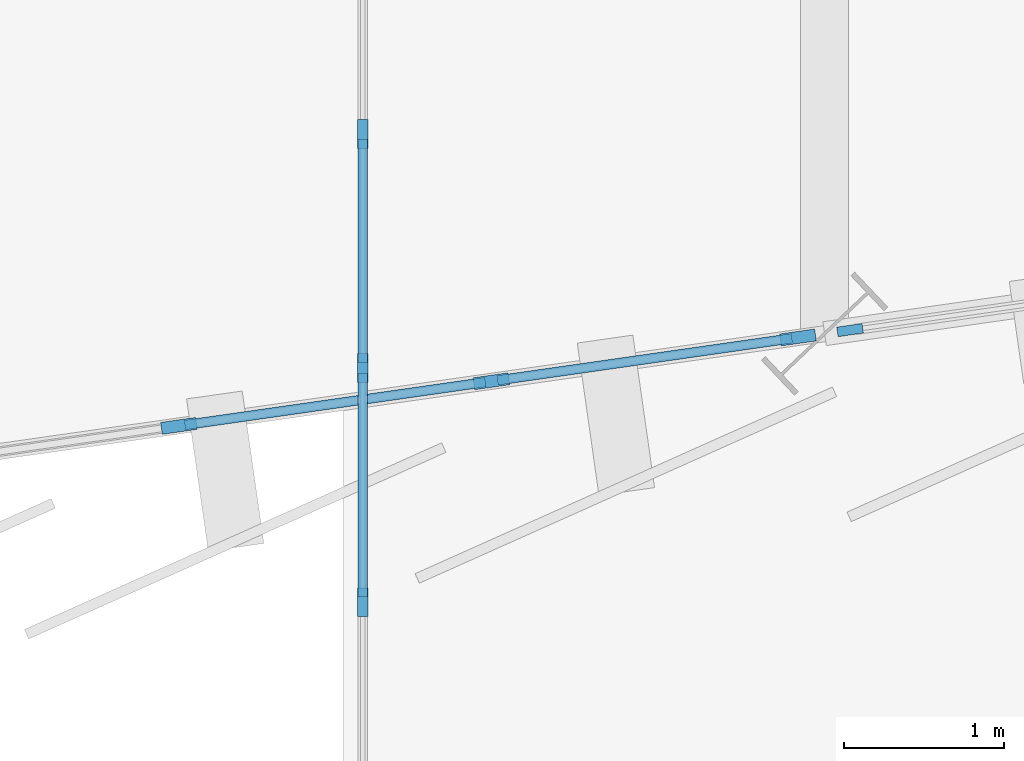
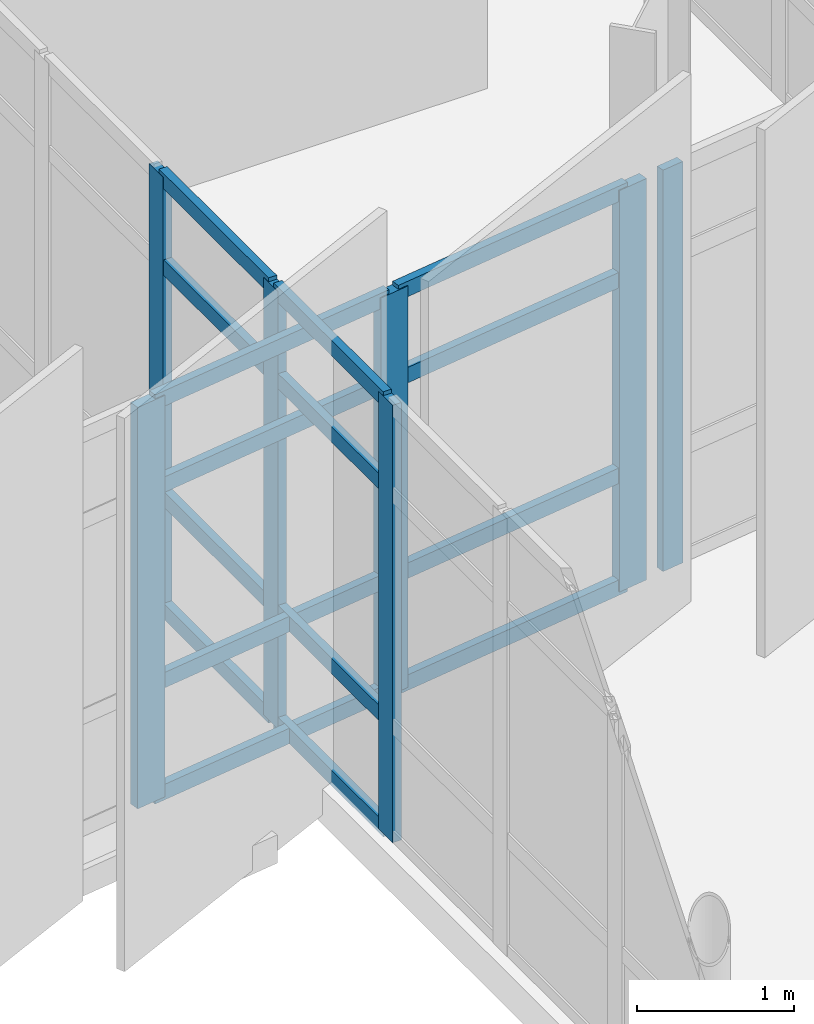
# One storey, part 39 of 134: 23 members, 3 elements without a shape of their own.
"""IFC4 building model written with IfcOpenShell, lengths in metres."""

import ifcopenshell
import ifcopenshell.guid

model = None  # the IFC model being written
_history = None  # IfcOwnerHistory: only IFC2X3 demands one
_inside = {}  # id of a spatial element -> (the spatial element, [elements in it])
_under = {}  # id of a project, library or spatial element -> (it, [spatial elements below it])
_declared = {}  # id of a project -> (the project, [libraries it declares])
_typed = {}  # id of a type object -> (the type object, [elements of that type])
_made_of = {}  # id of a material, layer set ... -> (it, [elements and type objects made of it])


def new_model(schema):
    """Start an empty IFC model of exactly this schema.

    Asked for "IFC4X3", IfcOpenShell would pick the latest addendum, in which some entities
    have other attributes; the version numbers below select the first issue.
    IFC2X3 requires an IfcOwnerHistory on every rooted entity: one is made here for all.
    """
    global model, _history
    if schema == "IFC4X3":
        model = ifcopenshell.file(schema_version=(4, 3, 0, 0))
    else:
        model = ifcopenshell.file(schema=schema)
    _inside.clear()
    _under.clear()
    _declared.clear()
    _typed.clear()
    _made_of.clear()
    _history = None
    if model.schema == "IFC2X3":
        org = make("IfcOrganization", Name="unknown")
        user = make(
            "IfcPersonAndOrganization",
            ThePerson=make("IfcPerson", FamilyName="unknown"),
            TheOrganization=org,
        )
        app = make(
            "IfcApplication",
            ApplicationDeveloper=org,
            Version="unknown",
            ApplicationFullName="unknown",
            ApplicationIdentifier="unknown",
        )
        _history = make(
            "IfcOwnerHistory",
            OwningUser=user,
            OwningApplication=app,
            ChangeAction="ADDED",
            CreationDate=0,
        )
    return model


def make(cls, **values):
    """One entity of the class cls with the attributes given. An attribute that is None is left unset."""
    return model.create_entity(
        cls, **{name: value for name, value in values.items() if value is not None}
    )


def rooted(cls, **values):
    """An entity with a GlobalId (a new one), such as an element, a storey or a relation."""
    return make(cls, GlobalId=ifcopenshell.guid.new(), OwnerHistory=_history, **values)


def si_unit(unit_type, name, prefix=None):
    """IfcSIUnit, for example si_unit("LENGTHUNIT", "METRE", prefix="MILLI")."""
    return make("IfcSIUnit", UnitType=unit_type, Prefix=prefix, Name=name)


def assignment(units):
    """IfcUnitAssignment: the units of a project."""
    return None if units is None else make("IfcUnitAssignment", Units=units)


def point(xyz):
    """IfcCartesianPoint."""
    return None if xyz is None else make("IfcCartesianPoint", Coordinates=xyz)


def direction(xyz):
    """IfcDirection."""
    return None if xyz is None else make("IfcDirection", DirectionRatios=xyz)


def frame(location, z_axis=None, x_axis=None):
    """IfcAxis2Placement3D, a coordinate frame: its origin and axes. An axis left out is left unset."""
    return make(
        "IfcAxis2Placement3D",
        Location=point(location),
        Axis=direction(z_axis),
        RefDirection=direction(x_axis),
    )


def frame_2d(location, x_axis=None):
    """IfcAxis2Placement2D, a coordinate frame in the plane: its origin and x axis."""
    return make(
        "IfcAxis2Placement2D", Location=point(location), RefDirection=direction(x_axis)
    )


def origin():
    """The frame at (0, 0, 0) with its axes left unset."""
    return frame((0.0, 0.0, 0.0))


def origin_2d():
    """The frame at (0, 0) in the plane with its x axis left unset."""
    return frame_2d((0.0, 0.0))


def place(relative_to, where):
    """IfcLocalPlacement: puts the frame where relative to a parent placement (None: the world)."""
    return make(
        "IfcLocalPlacement", PlacementRelTo=relative_to, RelativePlacement=where
    )


def context(
    kind, dimensions, precision=None, world=None, true_north=None, identifier=None
):
    """IfcGeometricRepresentationContext, for example the 3D "Model" context."""
    return make(
        "IfcGeometricRepresentationContext",
        ContextIdentifier=identifier,
        ContextType=kind,
        CoordinateSpaceDimension=dimensions,
        Precision=precision,
        WorldCoordinateSystem=world,
        TrueNorth=true_north,
    )


def subcontext(parent, identifier, kind, view, scale=None):
    """IfcGeometricRepresentationSubContext, for example "Body" below "Model"."""
    return make(
        "IfcGeometricRepresentationSubContext",
        ContextIdentifier=identifier,
        ContextType=kind,
        ParentContext=parent,
        TargetScale=scale,
        TargetView=view,
    )


def project(units=None, contexts=None):
    """IfcProject with its units and contexts."""
    return rooted(
        "IfcProject",
        Name="project",
        RepresentationContexts=contexts,
        UnitsInContext=assignment(units),
    )


def spatial(cls, under=None, at=None, **own):
    """A site, building, storey or space (cls), placed at a placement, below another one or the project."""
    s = rooted(cls, ObjectPlacement=at, **own)
    if under is not None:
        _under.setdefault(under.id(), (under, []))[1].append(s)
    return s


def profile(cls, at=None, kind="AREA", **sizes):
    """A parametric profile (cls). Its sizes go by their IFC names, for example OverallWidth=200.0."""
    return make(cls, ProfileType=kind, Position=at, **sizes)


def rectangle(**sizes):
    """IfcRectangleProfileDef."""
    return profile("IfcRectangleProfileDef", **sizes)


def extrude(swept, where, along, depth):
    """IfcExtrudedAreaSolid: the profile swept, set in the frame where, extruded along a direction by depth."""
    return make(
        "IfcExtrudedAreaSolid",
        SweptArea=swept,
        Position=where,
        ExtrudedDirection=direction(along),
        Depth=depth,
    )


def shape(context_of_items, identifier, shape_type, items):
    """IfcShapeRepresentation: the items that make up one representation, for example the "Body"."""
    return make(
        "IfcShapeRepresentation",
        ContextOfItems=context_of_items,
        RepresentationIdentifier=identifier,
        RepresentationType=shape_type,
        Items=items,
    )


def material(Name=None, Category=None):
    """IfcMaterial."""
    return make("IfcMaterial", Name=Name, Category=Category)


def layer(
    of_material, thickness, ventilated=None, Name=None, Category=None, Priority=None
):
    """IfcMaterialLayer: one layer of a wall or slab, of a material (None: an air gap)."""
    return make(
        "IfcMaterialLayer",
        Material=of_material,
        LayerThickness=thickness,
        IsVentilated=ventilated,
        Name=Name,
        Category=Category,
        Priority=Priority,
    )


def layer_set(layers, Name=None):
    """IfcMaterialLayerSet."""
    return make("IfcMaterialLayerSet", MaterialLayers=layers, LayerSetName=Name)


def material_profile(
    of_material, cross_section, Name=None, Category=None, Priority=None
):
    """IfcMaterialProfile: a cross section and its material."""
    return make(
        "IfcMaterialProfile",
        Name=Name,
        Material=of_material,
        Profile=cross_section,
        Priority=Priority,
        Category=Category,
    )


def profile_set(profiles, Name=None, composite=None):
    """IfcMaterialProfileSet."""
    return make(
        "IfcMaterialProfileSet",
        Name=Name,
        MaterialProfiles=profiles,
        CompositeProfile=composite,
    )


def made_of(thing, what):
    """Note that an element or type object is made of a material, layer set ...; save() writes the relation."""
    if what is not None:
        _made_of.setdefault(what.id(), (what, []))[1].append(thing)
    return thing


def type_object(cls, material=None, **own):
    """A type object (cls), such as IfcWallType, which elements share."""
    return made_of(rooted(cls, **own), material)


def element(
    cls,
    number,
    at=None,
    inside=None,
    cuts=None,
    type_object=None,
    material=None,
    context=None,
    identifier="Body",
    shape_type=None,
    held_by="IfcProductDefinitionShape",
    body=None,
    shapes=None,
    **own,
):
    """One element of the class cls, such as IfcWall. Its Tag is "e" and its number.

    at: its placement. inside: the storey or other place that contains it. cuts: it is an
    opening in that element (IfcRelVoidsElement). A single representation is given by context,
    identifier, shape_type and body (its items); several are given by shapes. held_by: the class
    of the entity that holds the representations. save() writes the other relations.
    """
    e = rooted(cls, Tag="e%d" % number, ObjectPlacement=at, **own)
    if body is not None:
        shapes = [shape(context, identifier, shape_type, body)]
    if shapes is not None:
        e.Representation = make(held_by, Representations=shapes)
    if inside is not None:
        _inside.setdefault(inside.id(), (inside, []))[1].append(e)
    if cuts is not None:
        rooted(
            "IfcRelVoidsElement", RelatingBuildingElement=cuts, RelatedOpeningElement=e
        )
    if type_object is not None:
        _typed.setdefault(type_object.id(), (type_object, []))[1].append(e)
    return made_of(e, material)


def aggregate(whole, parts):
    """IfcRelAggregates: a whole, such as a stair, and the parts it consists of."""
    return rooted("IfcRelAggregates", RelatingObject=whole, RelatedObjects=parts)


def save(model, path):
    """Write the relations noted so far, then the file.

    IfcRelAggregates (storeys below a building ...), IfcRelContainedInSpatialStructure (elements
    in a storey), IfcRelDefinesByType, IfcRelAssociatesMaterial and IfcRelDeclares: one each for
    every whole, place, type object, material and project.
    """
    for whole, parts in _under.values():
        aggregate(whole, parts)
    for where, things in _inside.values():
        rooted(
            "IfcRelContainedInSpatialStructure",
            RelatedElements=things,
            RelatingStructure=where,
        )
    for kind, things in _typed.values():
        rooted("IfcRelDefinesByType", RelatedObjects=things, RelatingType=kind)
    for what, things in _made_of.values():
        rooted("IfcRelAssociatesMaterial", RelatedObjects=things, RelatingMaterial=what)
    for by, libraries in _declared.values():
        rooted("IfcRelDeclares", RelatingContext=by, RelatedDefinitions=libraries)
    model.write(path)


model = new_model("IFC4")

# Units and contexts
model_context = context("Model", 3, precision=1e-05, world=origin(), true_north=direction((0.0, 1.0)))
body_context = subcontext(model_context, "Body", "Model", "MODEL_VIEW")
ifc_project = project(units=[si_unit("LENGTHUNIT", "METRE"), si_unit("AREAUNIT", "SQUARE_METRE"), si_unit("VOLUMEUNIT", "CUBIC_METRE"), si_unit("PLANEANGLEUNIT", "RADIAN"), si_unit("MASSUNIT", "GRAM", prefix="KILO")], contexts=[model_context])

# Site, building, storey
site_placement = place(None, origin())
site = spatial("IfcSite", under=ifc_project, at=site_placement, CompositionType="ELEMENT")
building_placement = place(site_placement, origin())
building = spatial("IfcBuilding", under=site, at=building_placement, Name="Sohan Crest Arena", CompositionType="ELEMENT")
storey_placement = place(building_placement, frame((0.0, 0.0, 4.5)))
storey = spatial("IfcBuildingStorey", under=building, at=storey_placement, Name="L01", CompositionType="ELEMENT", Elevation=4.5)

# Curtain wall, member
ifc_material = material(Name="Thermally broken anodised aluminium", Category="aluminium")
ifc_layer_1 = layer(ifc_material, 0.18994140625, Name="Thermally broken anodised aluminium")
ifc_layer_set_1 = layer_set([ifc_layer_1], Name="Thermally broken anodised aluminium")
curtain_wall_type_1 = type_object("IfcCurtainWallType", Name="ARC-CW05", PredefinedType="NOTDEFINED", material=ifc_layer_set_1)
curtain_wall_1_placement = place(storey_placement, origin())
curtain_wall_1 = element("IfcCurtainWall", 1, at=curtain_wall_1_placement, inside=storey, type_object=curtain_wall_type_1, Name="Unitised curtain wall CW-034", PredefinedType="NOTDEFINED")
ifc_material_profile_1 = material_profile(ifc_material, rectangle(XDim=0.06005859375, YDim=0.159912109375, at=origin_2d()), Name="ALU-MULL 60x160")
ifc_profile_set_1 = profile_set([ifc_material_profile_1], Name="Thermally broken anodised aluminium")
member_type_1 = type_object("IfcMemberType", Name="ARC-CW-ML01", PredefinedType="MULLION", material=ifc_profile_set_1)
member_1_placement = place(storey_placement, frame((138.15869140625, 35.736328125, 0.0), z_axis=(0.0, 0.0, 1.0), x_axis=(-0.141549389674, 0.989931194722, 0.0)))
member_1 = element("IfcMember", 2, at=member_1_placement, type_object=member_type_1, Name="CW-034 mullion 1", PredefinedType="MULLION", context=body_context, shape_type="SweptSolid", body=[
    extrude(rectangle(XDim=0.06005859375, YDim=0.159912109375, at=origin_2d()), origin(), (0.0, 0.0, 1.0), 3.1201171875),
])
aggregate(curtain_wall_1, [member_1])

# Curtain wall, members
curtain_wall_2_placement = place(storey_placement, origin())
curtain_wall_2 = element("IfcCurtainWall", 3, at=curtain_wall_2_placement, inside=storey, type_object=curtain_wall_type_1, Name="Unitised curtain wall CW-255", PredefinedType="NOTDEFINED")
ifc_material_profile_2 = material_profile(ifc_material, rectangle(XDim=0.06494140625, YDim=0.179931640625, at=origin_2d()), Name="ALU-MULL 65x180")
ifc_profile_set_2 = profile_set([ifc_material_profile_2], Name="Thermally broken anodised aluminium")
member_type_2 = type_object("IfcMemberType", Name="ARC-CW-ML02", PredefinedType="MULLION", material=ifc_profile_set_2)
member_2_placement = place(storey_placement, frame((135.1201171875, 34.0400390625, 0.0), z_axis=(0.0, 0.0, 1.0), x_axis=(-1.0, 0.0, 0.0)))
member_2 = element("IfcMember", 4, at=member_2_placement, type_object=member_type_2, Name="CW-255 mullion 5", PredefinedType="MULLION", context=body_context, shape_type="SweptSolid", body=[
    extrude(rectangle(XDim=0.06494140625, YDim=0.179931640625, at=origin_2d()), origin(), (0.0, 0.0, 1.0), 3.39990234375),
])
member_3_placement = place(storey_placement, frame((135.1201171875, 35.5, 0.0), z_axis=(0.0, 0.0, 1.0), x_axis=(-1.0, 0.0, 0.0)))
member_3 = element("IfcMember", 5, at=member_3_placement, type_object=member_type_2, Name="CW-255 mullion 6", PredefinedType="MULLION", context=body_context, shape_type="SweptSolid", body=[
    extrude(rectangle(XDim=0.06494140625, YDim=0.179931640625, at=origin_2d()), origin(), (0.0, 0.0, 1.0), 3.39990234375),
])
member_4_placement = place(storey_placement, frame((135.1201171875, 36.9599609375, 0.0), z_axis=(0.0, 0.0, 1.0), x_axis=(-1.0, 0.0, 0.0)))
member_4 = element("IfcMember", 6, at=member_4_placement, type_object=member_type_2, Name="CW-255 mullion 7", PredefinedType="MULLION", context=body_context, shape_type="SweptSolid", body=[
    extrude(rectangle(XDim=0.06494140625, YDim=0.179931640625, at=origin_2d()), origin(), (0.0, 0.0, 1.0), 3.39990234375),
])

ifc_layer_2 = layer(ifc_material, 0.239990234375, Name="Thermally broken anodised aluminium")
ifc_layer_set_2 = layer_set([ifc_layer_2], Name="Thermally broken anodised aluminium")
curtain_wall_type_2 = type_object("IfcCurtainWallType", Name="ARC-CW04", PredefinedType="NOTDEFINED", material=ifc_layer_set_2)
curtain_wall_3_placement = place(storey_placement, origin())
curtain_wall_3 = element("IfcCurtainWall", 7, at=curtain_wall_3_placement, inside=storey, type_object=curtain_wall_type_2, Name="Unitised curtain wall CW-033", PredefinedType="NOTDEFINED")
ifc_material_profile_3 = material_profile(ifc_material, rectangle(XDim=0.074951171875, YDim=0.219970703125, at=origin_2d()), Name="ALU-MULL 75x220")
ifc_profile_set_3 = profile_set([ifc_material_profile_3], Name="Thermally broken anodised aluminium")
member_type_3 = type_object("IfcMemberType", Name="ARC-CW-ML04", PredefinedType="MULLION", material=ifc_profile_set_3)
member_5_placement = place(storey_placement, frame((133.97412109375, 35.13916015625, 0.0), z_axis=(0.0, 0.0, 1.0), x_axis=(-0.141449808729, 0.989945428602, 0.0)))
member_5 = element("IfcMember", 8, at=member_5_placement, type_object=member_type_3, Name="CW-033 mullion 4", PredefinedType="MULLION", context=body_context, shape_type="SweptSolid", body=[
    extrude(rectangle(XDim=0.074951171875, YDim=0.219970703125, at=origin_2d()), origin(), (0.0, 0.0, 1.0), 3.1201171875),
])
member_6_placement = place(storey_placement, frame((135.922607421875, 35.41748046875, 0.0), z_axis=(0.0, 0.0, 1.0), x_axis=(-0.141449808729, 0.989945428602, 0.0)))
member_6 = element("IfcMember", 9, at=member_6_placement, type_object=member_type_3, Name="CW-033 mullion 5", PredefinedType="MULLION", context=body_context, shape_type="SweptSolid", body=[
    extrude(rectangle(XDim=0.074951171875, YDim=0.219970703125, at=origin_2d()), origin(), (0.0, 0.0, 1.0), 3.1201171875),
])
member_7_placement = place(storey_placement, frame((137.833984375, 35.690673828125, 0.0), z_axis=(0.0, 0.0, 1.0), x_axis=(-0.141449808729, 0.989945428602, 0.0)))
member_7 = element("IfcMember", 10, at=member_7_placement, type_object=member_type_3, Name="CW-033 mullion 6", PredefinedType="MULLION", context=body_context, shape_type="SweptSolid", body=[
    extrude(rectangle(XDim=0.074951171875, YDim=0.219970703125, at=origin_2d()), origin(), (0.0, 0.0, 1.0), 3.1201171875),
])
ifc_material_profile_4 = material_profile(ifc_material, rectangle(XDim=0.06005859375, YDim=0.1201171875, at=origin_2d()), Name="ALU-TRAN 60x120")
ifc_profile_set_4 = profile_set([ifc_material_profile_4], Name="Thermally broken anodised aluminium")
member_type_4 = type_object("IfcMemberType", Name="ARC-CW-TR01", PredefinedType="USERDEFINED", material=ifc_profile_set_4)
member_8_placement = place(storey_placement, frame((134.01123046875, 35.14453125, 0.030029296875), z_axis=(0.989944335028, 0.141457461968, 0.0), x_axis=(-0.141457461968, 0.989944335028, 0.0)))
member_8 = element("IfcMember", 11, at=member_8_placement, type_object=member_type_4, Name="CW-033 transom 4.1", ObjectType="TRANSOM", PredefinedType="USERDEFINED", context=body_context, shape_type="SweptSolid", body=[
    extrude(rectangle(XDim=0.06005859375, YDim=0.1201171875, at=origin_2d()), origin(), (0.0, 0.0, 1.0), 1.893310546875),
])
member_9_placement = place(storey_placement, frame((134.01123046875, 35.14453125, 0.89990234375), z_axis=(0.989944335028, 0.141457461968, 0.0), x_axis=(-0.141457461968, 0.989944335028, 0.0)))
member_9 = element("IfcMember", 12, at=member_9_placement, type_object=member_type_4, Name="CW-033 transom 4.2", ObjectType="TRANSOM", PredefinedType="USERDEFINED", context=body_context, shape_type="SweptSolid", body=[
    extrude(rectangle(XDim=0.06005859375, YDim=0.1201171875, at=origin_2d()), origin(), (0.0, 0.0, 1.0), 1.893310546875),
])
member_10_placement = place(storey_placement, frame((134.01123046875, 35.14453125, 2.419921875), z_axis=(0.989944335028, 0.141457461968, 0.0), x_axis=(-0.141457461968, 0.989944335028, 0.0)))
member_10 = element("IfcMember", 13, at=member_10_placement, type_object=member_type_4, Name="CW-033 transom 4.3", ObjectType="TRANSOM", PredefinedType="USERDEFINED", context=body_context, shape_type="SweptSolid", body=[
    extrude(rectangle(XDim=0.06005859375, YDim=0.1201171875, at=origin_2d()), origin(), (0.0, 0.0, 1.0), 1.893310546875),
])
member_11_placement = place(storey_placement, frame((134.01123046875, 35.14453125, 3.090087890625), z_axis=(0.989944335028, 0.141457461968, 0.0), x_axis=(-0.141457461968, 0.989944335028, 0.0)))
member_11 = element("IfcMember", 14, at=member_11_placement, type_object=member_type_4, Name="CW-033 transom 4.4", ObjectType="TRANSOM", PredefinedType="USERDEFINED", context=body_context, shape_type="SweptSolid", body=[
    extrude(rectangle(XDim=0.06005859375, YDim=0.1201171875, at=origin_2d()), origin(), (0.0, 0.0, 1.0), 1.893310546875),
])
member_12_placement = place(storey_placement, frame((135.959716796875, 35.4228515625, 0.030029296875), z_axis=(0.989949493661, 0.141421356237, 0.0), x_axis=(-0.141421356237, 0.989949493661, 0.0)))
member_12 = element("IfcMember", 15, at=member_12_placement, type_object=member_type_4, Name="CW-033 transom 5.1", ObjectType="TRANSOM", PredefinedType="USERDEFINED", context=body_context, shape_type="SweptSolid", body=[
    extrude(rectangle(XDim=0.06005859375, YDim=0.1201171875, at=origin_2d()), origin(), (0.0, 0.0, 1.0), 1.855712890625),
])
member_13_placement = place(storey_placement, frame((135.959716796875, 35.4228515625, 0.89990234375), z_axis=(0.989949493661, 0.141421356237, 0.0), x_axis=(-0.141421356237, 0.989949493661, 0.0)))
member_13 = element("IfcMember", 16, at=member_13_placement, type_object=member_type_4, Name="CW-033 transom 5.2", ObjectType="TRANSOM", PredefinedType="USERDEFINED", context=body_context, shape_type="SweptSolid", body=[
    extrude(rectangle(XDim=0.06005859375, YDim=0.1201171875, at=origin_2d()), origin(), (0.0, 0.0, 1.0), 1.855712890625),
])
member_14_placement = place(storey_placement, frame((135.959716796875, 35.4228515625, 2.419921875), z_axis=(0.989949493661, 0.141421356237, 0.0), x_axis=(-0.141421356237, 0.989949493661, 0.0)))
member_14 = element("IfcMember", 17, at=member_14_placement, type_object=member_type_4, Name="CW-033 transom 5.3", ObjectType="TRANSOM", PredefinedType="USERDEFINED", context=body_context, shape_type="SweptSolid", body=[
    extrude(rectangle(XDim=0.06005859375, YDim=0.1201171875, at=origin_2d()), origin(), (0.0, 0.0, 1.0), 1.855712890625),
])
member_15_placement = place(storey_placement, frame((135.959716796875, 35.4228515625, 3.090087890625), z_axis=(0.989949493661, 0.141421356237, 0.0), x_axis=(-0.141421356237, 0.989949493661, 0.0)))
member_15 = element("IfcMember", 18, at=member_15_placement, type_object=member_type_4, Name="CW-033 transom 5.4", ObjectType="TRANSOM", PredefinedType="USERDEFINED", context=body_context, shape_type="SweptSolid", body=[
    extrude(rectangle(XDim=0.06005859375, YDim=0.1201171875, at=origin_2d()), origin(), (0.0, 0.0, 1.0), 1.855712890625),
])
aggregate(curtain_wall_3, [member_5, member_6, member_7, member_8, member_9, member_10, member_11, member_12, member_13, member_14, member_15])

# Member
member_16_placement = place(storey_placement, frame((135.1201171875, 34.072509765625, 0.030029296875), z_axis=(0.0, 1.0, 0.0), x_axis=(-1.0, 0.0, 0.0)))
member_16 = element("IfcMember", 19, at=member_16_placement, type_object=member_type_4, Name="CW-255 transom 5.1", ObjectType="TRANSOM", PredefinedType="USERDEFINED", context=body_context, shape_type="SweptSolid", body=[
    extrude(rectangle(XDim=0.06005859375, YDim=0.1201171875, at=origin_2d()), origin(), (0.0, 0.0, 1.0), 1.39501953125),
])

member_17_placement = place(storey_placement, frame((135.1201171875, 34.072509765625, 0.89990234375), z_axis=(0.0, 1.0, 0.0), x_axis=(-1.0, 0.0, 0.0)))
member_17 = element("IfcMember", 20, at=member_17_placement, type_object=member_type_4, Name="CW-255 transom 5.2", ObjectType="TRANSOM", PredefinedType="USERDEFINED", context=body_context, shape_type="SweptSolid", body=[
    extrude(rectangle(XDim=0.06005859375, YDim=0.1201171875, at=origin_2d()), origin(), (0.0, 0.0, 1.0), 1.39501953125),
])

member_18_placement = place(storey_placement, frame((135.1201171875, 34.072509765625, 2.699951171875), z_axis=(0.0, 1.0, 0.0), x_axis=(-1.0, 0.0, 0.0)))
member_18 = element("IfcMember", 21, at=member_18_placement, type_object=member_type_4, Name="CW-255 transom 5.3", ObjectType="TRANSOM", PredefinedType="USERDEFINED", context=body_context, shape_type="SweptSolid", body=[
    extrude(rectangle(XDim=0.06005859375, YDim=0.1201171875, at=origin_2d()), origin(), (0.0, 0.0, 1.0), 1.39501953125),
])

member_19_placement = place(storey_placement, frame((135.1201171875, 34.072509765625, 3.3701171875), z_axis=(0.0, 1.0, 0.0), x_axis=(-1.0, 0.0, 0.0)))
member_19 = element("IfcMember", 22, at=member_19_placement, type_object=member_type_4, Name="CW-255 transom 5.4", ObjectType="TRANSOM", PredefinedType="USERDEFINED", context=body_context, shape_type="SweptSolid", body=[
    extrude(rectangle(XDim=0.06005859375, YDim=0.1201171875, at=origin_2d()), origin(), (0.0, 0.0, 1.0), 1.39501953125),
])

member_20_placement = place(storey_placement, frame((135.1201171875, 35.532470703125, 0.030029296875), z_axis=(0.0, 1.0, 0.0), x_axis=(-1.0, 0.0, 0.0)))
member_20 = element("IfcMember", 23, at=member_20_placement, type_object=member_type_4, Name="CW-255 transom 6.1", ObjectType="TRANSOM", PredefinedType="USERDEFINED", context=body_context, shape_type="SweptSolid", body=[
    extrude(rectangle(XDim=0.06005859375, YDim=0.1201171875, at=origin_2d()), origin(), (0.0, 0.0, 1.0), 1.39501953125),
])

member_21_placement = place(storey_placement, frame((135.1201171875, 35.532470703125, 0.89990234375), z_axis=(0.0, 1.0, 0.0), x_axis=(-1.0, 0.0, 0.0)))
member_21 = element("IfcMember", 24, at=member_21_placement, type_object=member_type_4, Name="CW-255 transom 6.2", ObjectType="TRANSOM", PredefinedType="USERDEFINED", context=body_context, shape_type="SweptSolid", body=[
    extrude(rectangle(XDim=0.06005859375, YDim=0.1201171875, at=origin_2d()), origin(), (0.0, 0.0, 1.0), 1.39501953125),
])

member_22_placement = place(storey_placement, frame((135.1201171875, 35.532470703125, 2.699951171875), z_axis=(0.0, 1.0, 0.0), x_axis=(-1.0, 0.0, 0.0)))
member_22 = element("IfcMember", 25, at=member_22_placement, type_object=member_type_4, Name="CW-255 transom 6.3", ObjectType="TRANSOM", PredefinedType="USERDEFINED", context=body_context, shape_type="SweptSolid", body=[
    extrude(rectangle(XDim=0.06005859375, YDim=0.1201171875, at=origin_2d()), origin(), (0.0, 0.0, 1.0), 1.39501953125),
])

member_23_placement = place(storey_placement, frame((135.1201171875, 35.532470703125, 3.3701171875), z_axis=(0.0, 1.0, 0.0), x_axis=(-1.0, 0.0, 0.0)))
member_23 = element("IfcMember", 26, at=member_23_placement, type_object=member_type_4, Name="CW-255 transom 6.4", ObjectType="TRANSOM", PredefinedType="USERDEFINED", context=body_context, shape_type="SweptSolid", body=[
    extrude(rectangle(XDim=0.06005859375, YDim=0.1201171875, at=origin_2d()), origin(), (0.0, 0.0, 1.0), 1.39501953125),
])

aggregate(curtain_wall_2, [member_2, member_3, member_4, member_16, member_17, member_18, member_19, member_20, member_21, member_22, member_23])

save(model, "model.ifc")
